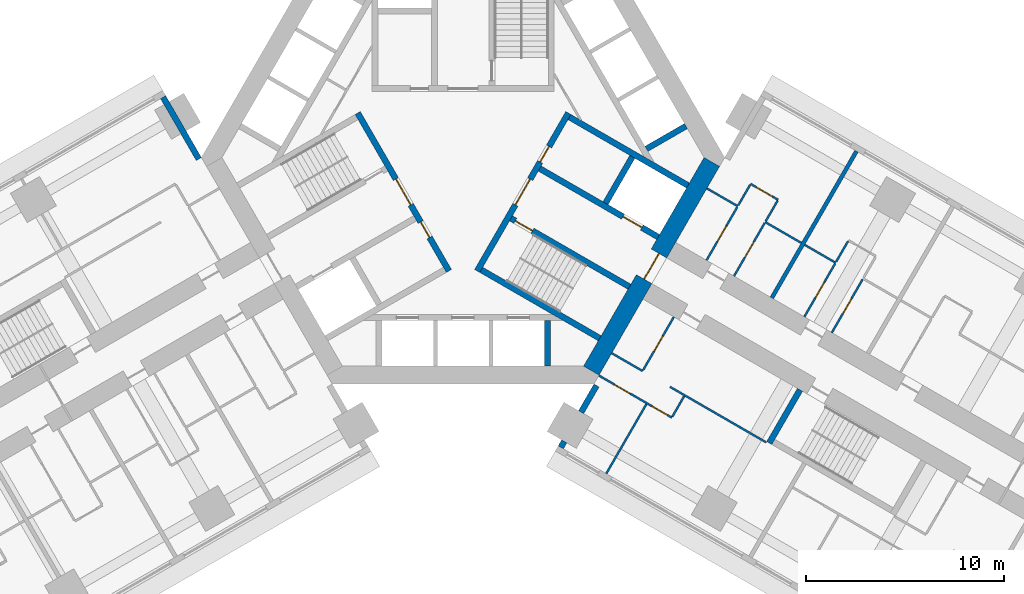
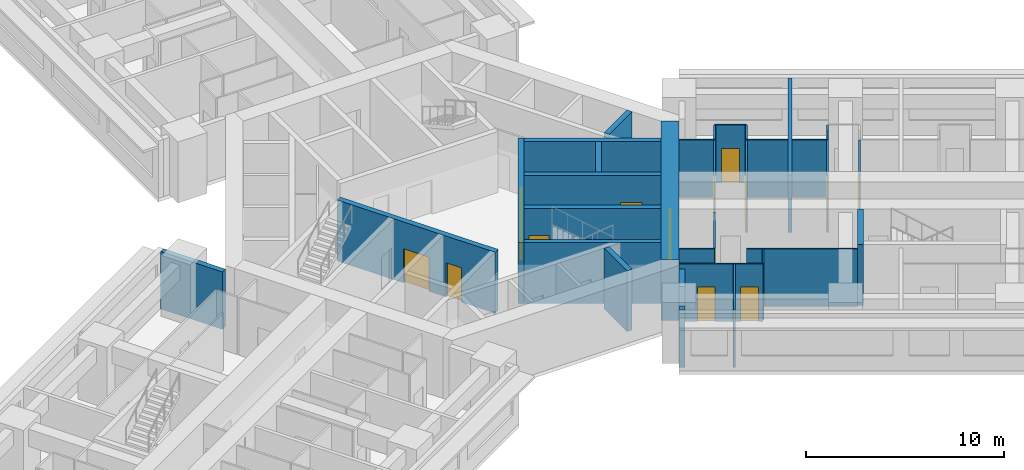
# One storey, part 7 of 17: 32 walls, 15 doors, 15 openings.
"""IFC4 building model written with IfcOpenShell, lengths in metres."""

from ifc_helpers import new_model, si_unit, direction, frame, frame_2d, origin, place, context, subcontext, project, spatial, rectangle, extrude, material, layer, layer_set, type_object, element, fill, save


model = new_model("IFC4")

# Units and contexts
model_context = context("Model", 3, precision=1e-05, world=origin(), true_north=direction((0.0, 1.0)))
body_context = subcontext(model_context, "Body", "Model", "MODEL_VIEW")
ifc_project = project(units=[si_unit("LENGTHUNIT", "METRE"), si_unit("AREAUNIT", "SQUARE_METRE"), si_unit("VOLUMEUNIT", "CUBIC_METRE"), si_unit("PLANEANGLEUNIT", "RADIAN"), si_unit("MASSUNIT", "GRAM", prefix="KILO")], contexts=[model_context])

# Site, building, storey
site_placement = place(None, origin())
site = spatial("IfcSite", under=ifc_project, at=site_placement, CompositionType="ELEMENT")
building_placement = place(site_placement, origin())
building = spatial("IfcBuilding", under=site, at=building_placement, Name="Impinga Residences", CompositionType="ELEMENT")
storey_placement = place(building_placement, frame((0.0, 0.0, 29.75)))
storey = spatial("IfcBuildingStorey", under=building, at=storey_placement, Name="L06", CompositionType="ELEMENT", Elevation=29.75)

# Walls
ifc_material_1 = material(Name="Terracotta rainscreen on blockwork", Category="masonry")
ifc_layer_1 = layer(ifc_material_1, 0.300048828125)
ifc_layer_set_1 = layer_set([ifc_layer_1], Name="EW1 external wall, terracotta rainscreen on blockwork 300")
wall_type_1 = type_object("IfcWallType", Name="EW1 external wall, terracotta rainscreen on blockwork 300", PredefinedType="SOLIDWALL", material=ifc_layer_set_1)
wall_1_placement = place(storey_placement, frame((-15.1298828125, 3.042724609375, 0.0), z_axis=(0.0, 0.0, 1.0), x_axis=(0.500012057535, -0.866018442252, 0.0)))
element("IfcWall", 1, at=wall_1_placement, inside=storey, type_object=wall_type_1, Name="External wall EW1 L06", PredefinedType="SOLIDWALL", context=body_context, shape_type="SweptSolid", body=[
    extrude(rectangle(XDim=3.60009765625, YDim=0.300048828125, at=frame_2d((1.800048828125, 0.0))), origin(), (0.0, 0.0, 1.0), 3.530029296875),
])
wall_2_placement = place(storey_placement, frame((4.929931640625, -14.624267578125, 0.0), z_axis=(0.0, 0.0, 1.0), x_axis=(0.49996389635, 0.866046247233, 0.0)))
element("IfcWall", 2, at=wall_2_placement, inside=storey, type_object=wall_type_1, Name="External wall EW1 L06", PredefinedType="SOLIDWALL", context=body_context, shape_type="SweptSolid", body=[
    extrude(rectangle(XDim=0.35009765625, YDim=0.300048828125, at=frame_2d((0.175048828125, 0.0))), origin(), (0.0, 0.0, 1.0), 3.530029296875),
])
wall_3_placement = place(storey_placement, frame((5.954833984375, -12.848876953125, 0.0), z_axis=(0.0, 0.0, 1.0), x_axis=(0.500086022567, 0.865975732936, 0.0)))
element("IfcWall", 3, at=wall_3_placement, inside=storey, type_object=wall_type_1, Name="External wall EW1 L06", PredefinedType="SOLIDWALL", context=body_context, shape_type="SweptSolid", body=[
    extrude(rectangle(XDim=1.550048828125, YDim=0.300048828125, at=frame_2d((0.77490234375, 0.0))), origin(), (0.0, 0.0, 1.0), 3.530029296875),
])
ifc_material_2 = material(Name="Gypsum board on steel studs", Category="steel")
ifc_layer_2 = layer(ifc_material_2, 0.10009765625)
ifc_layer_set_2 = layer_set([ifc_layer_2], Name="Gypsum board on steel studs")
wall_type_2 = type_object("IfcWallType", Name="IP1 partition 100", PredefinedType="PARTITIONING", material=ifc_layer_set_2)
wall_4_placement = place(storey_placement, frame((12.300048828125, -1.558837890625, 0.0), z_axis=(0.0, 0.0, 1.0), x_axis=(0.866047807691, -0.499961193289, 0.0)))
element("IfcWall", 4, at=wall_4_placement, inside=storey, type_object=wall_type_2, Name="Partition L06-EA1:DIV0", PredefinedType="PARTITIONING", context=body_context, shape_type="SweptSolid", body=[
    extrude(rectangle(XDim=1.800048828125, YDim=0.10009765625, at=frame_2d((0.89990234375, 0.0))), origin(), (0.0, 0.0, 1.0), 3.530029296875),
])
wall_5_placement = place(storey_placement, frame((15.244384765625, -3.2587890625, 0.0), z_axis=(0.0, 0.0, 1.0), x_axis=(0.866038466041, -0.499977374825, 0.0)))
element("IfcWall", 5, at=wall_5_placement, inside=storey, type_object=wall_type_2, Name="Partition L06-EA1:DIV1", PredefinedType="PARTITIONING", context=body_context, shape_type="SweptSolid", body=[
    extrude(rectangle(XDim=2.10009765625, YDim=0.10009765625, at=frame_2d((1.050048828125, 0.0))), origin(), (0.0, 0.0, 1.0), 3.530029296875),
])

# Wall, opening, door
wall_6_placement = place(storey_placement, frame((14.5087890625, -1.3330078125, 0.0), z_axis=(0.0, 0.0, 1.0), x_axis=(0.866028054938, -0.499995408039, 0.0)))
wall_6 = element("IfcWall", 6, at=wall_6_placement, inside=storey, type_object=wall_type_2, Name="Partition L06-EA1:STRIP", PredefinedType="PARTITIONING", context=body_context, shape_type="SweptSolid", body=[
    extrude(rectangle(XDim=1.60009765625, YDim=0.10009765625, at=frame_2d((0.800048828125, 0.0))), origin(), (0.0, 0.0, 1.0), 3.530029296875),
])
opening_1_placement = place(wall_6_placement, frame((0.35009765625, 0.0, 0.0)))
opening_1 = element("IfcOpeningElement", 7, at=opening_1_placement, cuts=wall_6, Name="Opening D2", PredefinedType="OPENING", context=body_context, shape_type="SweptSolid", body=[
    extrude(rectangle(XDim=0.89990234375, YDim=2.10009765625, at=frame_2d((0.449951171875, 1.050048828125))), frame((0.0, 0.06005859375, 0.0), z_axis=(0.0, -1.0, 0.0), x_axis=(1.0, 0.0, 0.0)), (0.0, 0.0, 1.0), 0.1201171875),
])
ifc_material_3 = material(Name="Timber door set", Category="wood")
door_type_1 = type_object("IfcDoorType", Name="D2 internal door 900x2100", OperationType="SINGLE_SWING_LEFT", PredefinedType="DOOR", material=ifc_material_3)
door_1_placement = place(opening_1_placement, origin())
door_1 = element("IfcDoor", 8, at=door_1_placement, inside=storey, type_object=door_type_1, Name="Apartment L06-EA1 room door", OperationType="SINGLE_SWING_LEFT", OverallHeight=2.10009765625, OverallWidth=0.89990234375, PredefinedType="DOOR", context=body_context, shape_type="SweptSolid", body=[
    extrude(rectangle(XDim=0.89990234375, YDim=2.10009765625, at=frame_2d((0.449951171875, 1.050048828125))), frame((0.0, 0.02490234375, 0.0), z_axis=(0.0, -1.0, 0.0), x_axis=(1.0, 0.0, 0.0)), (0.0, 0.0, 1.0), 0.050048828125),
])
fill(opening_1, door_1)

# Walls
wall_7_placement = place(storey_placement, frame((13.8837890625, -2.41552734375, 0.0), z_axis=(0.0, 0.0, 1.0), x_axis=(0.500033551112, 0.866006032174, 0.0)))
element("IfcWall", 9, at=wall_7_placement, inside=storey, type_object=wall_type_2, Name="Partition L06-EA1:SE0", PredefinedType="PARTITIONING", context=body_context, shape_type="SweptSolid", body=[
    extrude(rectangle(XDim=1.2001953125, YDim=0.10009765625, at=frame_2d((0.60009765625, 0.0))), origin(), (0.0, 0.0, 1.0), 3.530029296875),
])
wall_8_placement = place(storey_placement, frame((15.26953125, -3.215576171875, 0.0), z_axis=(0.0, 0.0, 1.0), x_axis=(0.499880961361, 0.866094119867, 0.0)))
element("IfcWall", 10, at=wall_8_placement, inside=storey, type_object=wall_type_2, Name="Partition L06-EA1:SE1", PredefinedType="PARTITIONING", context=body_context, shape_type="SweptSolid", body=[
    extrude(rectangle(XDim=1.199951171875, YDim=0.10009765625, at=frame_2d((0.60009765625, 0.0))), origin(), (0.0, 0.0, 1.0), 3.530029296875),
])

# Wall, opening, door
wall_9_placement = place(storey_placement, frame((12.283935546875, -5.186767578125, 0.0), z_axis=(0.0, 0.0, 1.0), x_axis=(0.499967891604, 0.866043940782, 0.0)))
wall_9 = element("IfcWall", 11, at=wall_9_placement, inside=storey, type_object=wall_type_2, Name="Partition L06-EA1:IB1", PredefinedType="PARTITIONING", context=body_context, shape_type="SweptSolid", body=[
    extrude(rectangle(XDim=3.099853515625, YDim=0.10009765625, at=frame_2d((1.5498046875, 0.0))), origin(), (0.0, 0.0, 1.0), 3.530029296875),
])
opening_2_placement = place(wall_9_placement, frame((1.10009765625, 0.0, 0.0)))
opening_2 = element("IfcOpeningElement", 12, at=opening_2_placement, cuts=wall_9, Name="Opening D2", PredefinedType="OPENING", context=body_context, shape_type="SweptSolid", body=[
    extrude(rectangle(XDim=0.89990234375, YDim=2.10009765625, at=frame_2d((0.449951171875, 1.050048828125))), frame((0.0, 0.06005859375, 0.0), z_axis=(0.0, -1.0, 0.0), x_axis=(1.0, 0.0, 0.0)), (0.0, 0.0, 1.0), 0.1201171875),
])
door_2_placement = place(opening_2_placement, origin())
door_2 = element("IfcDoor", 13, at=door_2_placement, inside=storey, type_object=door_type_1, Name="Apartment L06-EA1 bathroom door", OperationType="SINGLE_SWING_LEFT", OverallHeight=2.10009765625, OverallWidth=0.89990234375, PredefinedType="DOOR", context=body_context, shape_type="SweptSolid", body=[
    extrude(rectangle(XDim=0.89990234375, YDim=2.10009765625, at=frame_2d((0.449951171875, 1.050048828125))), frame((0.0, 0.02490234375, 0.0), z_axis=(0.0, -1.0, 0.0), x_axis=(1.0, 0.0, 0.0)), (0.0, 0.0, 1.0), 0.050048828125),
])
fill(opening_2, door_2)

wall_10_placement = place(storey_placement, frame((13.66943359375, -5.98681640625, 0.0), z_axis=(0.0, 0.0, 1.0), x_axis=(0.500026960575, 0.86600983753, 0.0)))
wall_10 = element("IfcWall", 14, at=wall_10_placement, inside=storey, type_object=wall_type_2, Name="Partition L06-EA1:IB2", PredefinedType="PARTITIONING", context=body_context, shape_type="SweptSolid", body=[
    extrude(rectangle(XDim=3.099853515625, YDim=0.10009765625, at=frame_2d((1.5498046875, 0.0))), origin(), (0.0, 0.0, 1.0), 3.530029296875),
])
opening_3_placement = place(wall_10_placement, frame((1.10009765625, 0.0, 0.0)))
opening_3 = element("IfcOpeningElement", 15, at=opening_3_placement, cuts=wall_10, Name="Opening D2", PredefinedType="OPENING", context=body_context, shape_type="SweptSolid", body=[
    extrude(rectangle(XDim=0.89990234375, YDim=2.10009765625, at=frame_2d((0.449951171875, 1.050048828125))), frame((0.0, 0.06005859375, 0.0), z_axis=(0.0, -1.0, 0.0), x_axis=(1.0, 0.0, 0.0)), (0.0, 0.0, 1.0), 0.1201171875),
])
door_3_placement = place(opening_3_placement, origin())
door_3 = element("IfcDoor", 16, at=door_3_placement, inside=storey, type_object=door_type_1, Name="Apartment L06-EA1 WC door", OperationType="SINGLE_SWING_LEFT", OverallHeight=2.10009765625, OverallWidth=0.89990234375, PredefinedType="DOOR", context=body_context, shape_type="SweptSolid", body=[
    extrude(rectangle(XDim=0.89990234375, YDim=2.10009765625, at=frame_2d((0.449951171875, 1.050048828125))), frame((0.0, 0.02490234375, 0.0), z_axis=(0.0, -1.0, 0.0), x_axis=(1.0, 0.0, 0.0)), (0.0, 0.0, 1.0), 0.050048828125),
])
fill(opening_3, door_3)

# Walls
wall_11_placement = place(storey_placement, frame((17.236328125, -4.408935546875, 0.0), z_axis=(0.0, 0.0, 1.0), x_axis=(0.866047807691, -0.499961193289, 0.0)))
element("IfcWall", 17, at=wall_11_placement, inside=storey, type_object=wall_type_2, Name="Partition L06-EA2:DIV0", PredefinedType="PARTITIONING", context=body_context, shape_type="SweptSolid", body=[
    extrude(rectangle(XDim=1.800048828125, YDim=0.10009765625, at=frame_2d((0.89990234375, 0.0))), origin(), (0.0, 0.0, 1.0), 3.530029296875),
])
wall_12_placement = place(storey_placement, frame((18.8203125, -5.265625, 0.0), z_axis=(0.0, 0.0, 1.0), x_axis=(0.499880961361, 0.866094119867, 0.0)))
element("IfcWall", 18, at=wall_12_placement, inside=storey, type_object=wall_type_2, Name="Partition L06-EA2:SE0", PredefinedType="PARTITIONING", context=body_context, shape_type="SweptSolid", body=[
    extrude(rectangle(XDim=1.199951171875, YDim=0.10009765625, at=frame_2d((0.60009765625, 0.0))), origin(), (0.0, 0.0, 1.0), 3.530029296875),
])

# Wall, opening, door
wall_13_placement = place(storey_placement, frame((17.22021484375, -8.036865234375, 0.0), z_axis=(0.0, 0.0, 1.0), x_axis=(0.49999285859, 0.86602952684, 0.0)))
wall_13 = element("IfcWall", 19, at=wall_13_placement, inside=storey, type_object=wall_type_2, Name="Partition L06-EA2:IB1", PredefinedType="PARTITIONING", context=body_context, shape_type="SweptSolid", body=[
    extrude(rectangle(XDim=3.10009765625, YDim=0.10009765625, at=frame_2d((1.550048828125, 0.0))), origin(), (0.0, 0.0, 1.0), 3.530029296875),
])
opening_4_placement = place(wall_13_placement, frame((1.10009765625, 0.0, 0.0)))
opening_4 = element("IfcOpeningElement", 20, at=opening_4_placement, cuts=wall_13, Name="Opening D2", PredefinedType="OPENING", context=body_context, shape_type="SweptSolid", body=[
    extrude(rectangle(XDim=0.89990234375, YDim=2.10009765625, at=frame_2d((0.449951171875, 1.050048828125))), frame((0.0, 0.06005859375, 0.0), z_axis=(0.0, -1.0, 0.0), x_axis=(1.0, 0.0, 0.0)), (0.0, 0.0, 1.0), 0.1201171875),
])
door_4_placement = place(opening_4_placement, origin())
door_4 = element("IfcDoor", 21, at=door_4_placement, inside=storey, type_object=door_type_1, Name="Apartment L06-EA2 bathroom door", OperationType="SINGLE_SWING_LEFT", OverallHeight=2.10009765625, OverallWidth=0.89990234375, PredefinedType="DOOR", context=body_context, shape_type="SweptSolid", body=[
    extrude(rectangle(XDim=0.89990234375, YDim=2.10009765625, at=frame_2d((0.449951171875, 1.050048828125))), frame((0.0, 0.02490234375, 0.0), z_axis=(0.0, -1.0, 0.0), x_axis=(1.0, 0.0, 0.0)), (0.0, 0.0, 1.0), 0.050048828125),
])
fill(opening_4, door_4)

wall_14_placement = place(storey_placement, frame((18.605712890625, -8.8369140625, 0.0), z_axis=(0.0, 0.0, 1.0), x_axis=(0.49999285859, 0.86602952684, 0.0)))
wall_14 = element("IfcWall", 22, at=wall_14_placement, inside=storey, type_object=wall_type_2, Name="Partition L06-EA2:IB2", PredefinedType="PARTITIONING", context=body_context, shape_type="SweptSolid", body=[
    extrude(rectangle(XDim=3.10009765625, YDim=0.10009765625, at=frame_2d((1.550048828125, 0.0))), origin(), (0.0, 0.0, 1.0), 3.530029296875),
])
opening_5_placement = place(wall_14_placement, frame((1.10009765625, 0.0, 0.0)))
opening_5 = element("IfcOpeningElement", 23, at=opening_5_placement, cuts=wall_14, Name="Opening D2", PredefinedType="OPENING", context=body_context, shape_type="SweptSolid", body=[
    extrude(rectangle(XDim=0.89990234375, YDim=2.10009765625, at=frame_2d((0.449951171875, 1.050048828125))), frame((0.0, 0.06005859375, 0.0), z_axis=(0.0, -1.0, 0.0), x_axis=(1.0, 0.0, 0.0)), (0.0, 0.0, 1.0), 0.1201171875),
])
door_5_placement = place(opening_5_placement, origin())
door_5 = element("IfcDoor", 24, at=door_5_placement, inside=storey, type_object=door_type_1, Name="Apartment L06-EA2 WC door", OperationType="SINGLE_SWING_LEFT", OverallHeight=2.10009765625, OverallWidth=0.89990234375, PredefinedType="DOOR", context=body_context, shape_type="SweptSolid", body=[
    extrude(rectangle(XDim=0.89990234375, YDim=2.10009765625, at=frame_2d((0.449951171875, 1.050048828125))), frame((0.0, 0.02490234375, 0.0), z_axis=(0.0, -1.0, 0.0), x_axis=(1.0, 0.0, 0.0)), (0.0, 0.0, 1.0), 0.050048828125),
])
fill(opening_5, door_5)

# Walls
wall_15_placement = place(storey_placement, frame((7.5, -9.872802734375, 0.0), z_axis=(0.0, 0.0, 1.0), x_axis=(0.866047807691, -0.499961193289, 0.0)))
element("IfcWall", 25, at=wall_15_placement, inside=storey, type_object=wall_type_2, Name="Partition L06-EF1:DIV0", PredefinedType="PARTITIONING", context=body_context, shape_type="SweptSolid", body=[
    extrude(rectangle(XDim=1.800048828125, YDim=0.10009765625, at=frame_2d((0.89990234375, 0.0))), origin(), (0.0, 0.0, 1.0), 3.530029296875),
])
wall_16_placement = place(storey_placement, frame((10.444580078125, -11.57275390625, 0.0), z_axis=(0.0, 0.0, 1.0), x_axis=(0.866015695474, -0.500016814911, 0.0)))
element("IfcWall", 26, at=wall_16_placement, inside=storey, type_object=wall_type_2, Name="Partition L06-EF1:DIV1", PredefinedType="PARTITIONING", context=body_context, shape_type="SweptSolid", body=[
    extrude(rectangle(XDim=5.599853515625, YDim=0.10009765625, at=frame_2d((2.7998046875, 0.0))), origin(), (0.0, 0.0, 1.0), 3.530029296875),
])

# Wall, openings, doors
wall_17_placement = place(storey_placement, frame((6.85009765625, -10.99853515625, 0.0), z_axis=(0.0, 0.0, 1.0), x_axis=(0.866014341725, -0.50001915956, 0.0)))
wall_17 = element("IfcWall", 27, at=wall_17_placement, inside=storey, type_object=wall_type_2, Name="Partition L06-EF1:STRIP", PredefinedType="PARTITIONING", context=body_context, shape_type="SweptSolid", body=[
    extrude(rectangle(XDim=4.249755859375, YDim=0.10009765625, at=frame_2d((2.125, 0.0))), origin(), (0.0, 0.0, 1.0), 3.530029296875),
])
opening_6_placement = place(wall_17_placement, frame((0.925048828125, 0.0, 0.0)))
opening_6 = element("IfcOpeningElement", 28, at=opening_6_placement, cuts=wall_17, Name="Opening D2", PredefinedType="OPENING", context=body_context, shape_type="SweptSolid", body=[
    extrude(rectangle(XDim=0.89990234375, YDim=2.10009765625, at=frame_2d((0.449951171875, 1.050048828125))), frame((0.0, 0.06005859375, 0.0), z_axis=(0.0, -1.0, 0.0), x_axis=(1.0, 0.0, 0.0)), (0.0, 0.0, 1.0), 0.1201171875),
])
opening_7_placement = place(wall_17_placement, frame((3.10009765625, 0.0, 0.0)))
opening_7 = element("IfcOpeningElement", 29, at=opening_7_placement, cuts=wall_17, Name="Opening D2", PredefinedType="OPENING", context=body_context, shape_type="SweptSolid", body=[
    extrude(rectangle(XDim=0.89990234375, YDim=2.10009765625, at=frame_2d((0.449951171875, 1.050048828125))), frame((0.0, 0.06005859375, 0.0), z_axis=(0.0, -1.0, 0.0), x_axis=(1.0, 0.0, 0.0)), (0.0, 0.0, 1.0), 0.1201171875),
])
door_6_placement = place(opening_6_placement, origin())
door_6 = element("IfcDoor", 30, at=door_6_placement, inside=storey, type_object=door_type_1, Name="Apartment L06-EF1 room door", OperationType="SINGLE_SWING_LEFT", OverallHeight=2.10009765625, OverallWidth=0.89990234375, PredefinedType="DOOR", context=body_context, shape_type="SweptSolid", body=[
    extrude(rectangle(XDim=0.89990234375, YDim=2.10009765625, at=frame_2d((0.449951171875, 1.050048828125))), frame((0.0, 0.02490234375, 0.0), z_axis=(0.0, -1.0, 0.0), x_axis=(1.0, 0.0, 0.0)), (0.0, 0.0, 1.0), 0.050048828125),
])
fill(opening_6, door_6)
door_7_placement = place(opening_7_placement, origin())
door_7 = element("IfcDoor", 31, at=door_7_placement, inside=storey, type_object=door_type_1, Name="Apartment L06-EF1 room door", OperationType="SINGLE_SWING_RIGHT", OverallHeight=2.10009765625, OverallWidth=0.89990234375, PredefinedType="DOOR", context=body_context, shape_type="SweptSolid", body=[
    extrude(rectangle(XDim=0.89990234375, YDim=2.10009765625, at=frame_2d((0.449951171875, 1.050048828125))), frame((0.0, 0.02490234375, 0.0), z_axis=(0.0, -1.0, 0.0), x_axis=(1.0, 0.0, 0.0)), (0.0, 0.0, 1.0), 0.050048828125),
])
fill(opening_7, door_7)

# Wall
wall_18_placement = place(storey_placement, frame((11.155517578125, -12.041015625, 0.0), z_axis=(0.0, 0.0, 1.0), x_axis=(-0.499880961361, -0.866094119867, 0.0)))
element("IfcWall", 32, at=wall_18_placement, inside=storey, type_object=wall_type_2, Name="Partition L06-EF1:SE1", PredefinedType="PARTITIONING", context=body_context, shape_type="SweptSolid", body=[
    extrude(rectangle(XDim=1.199951171875, YDim=0.10009765625, at=frame_2d((0.60009765625, 0.0))), origin(), (0.0, 0.0, 1.0), 3.530029296875),
])

# Wall, opening, door
wall_19_placement = place(storey_placement, frame((10.6337890625, -8.044677734375, 0.0), z_axis=(0.0, 0.0, 1.0), x_axis=(-0.49999285859, -0.86602952684, 0.0)))
wall_19 = element("IfcWall", 33, at=wall_19_placement, inside=storey, type_object=wall_type_2, Name="Partition L06-EF1:IB1", PredefinedType="PARTITIONING", context=body_context, shape_type="SweptSolid", body=[
    extrude(rectangle(XDim=3.10009765625, YDim=0.10009765625, at=frame_2d((1.550048828125, 0.0))), origin(), (0.0, 0.0, 1.0), 3.530029296875),
])
opening_8_placement = place(wall_19_placement, frame((1.10009765625, 0.0, 0.0)))
opening_8 = element("IfcOpeningElement", 34, at=opening_8_placement, cuts=wall_19, Name="Opening D2", PredefinedType="OPENING", context=body_context, shape_type="SweptSolid", body=[
    extrude(rectangle(XDim=0.89990234375, YDim=2.10009765625, at=frame_2d((0.449951171875, 1.050048828125))), frame((0.0, 0.06005859375, 0.0), z_axis=(0.0, -1.0, 0.0), x_axis=(1.0, 0.0, 0.0)), (0.0, 0.0, 1.0), 0.1201171875),
])
door_8_placement = place(opening_8_placement, origin())
door_8 = element("IfcDoor", 35, at=door_8_placement, inside=storey, type_object=door_type_1, Name="Apartment L06-EF1 bathroom door", OperationType="SINGLE_SWING_LEFT", OverallHeight=2.10009765625, OverallWidth=0.89990234375, PredefinedType="DOOR", context=body_context, shape_type="SweptSolid", body=[
    extrude(rectangle(XDim=0.89990234375, YDim=2.10009765625, at=frame_2d((0.449951171875, 1.050048828125))), frame((0.0, 0.02490234375, 0.0), z_axis=(0.0, -1.0, 0.0), x_axis=(1.0, 0.0, 0.0)), (0.0, 0.0, 1.0), 0.050048828125),
])
fill(opening_8, door_8)

# Walls
wall_20_placement = place(storey_placement, frame((9.249755859375, -12.44189453125, 0.0), z_axis=(0.0, 0.0, 1.0), x_axis=(-0.499990325971, -0.866030989016, 0.0)))
element("IfcWall", 36, at=wall_20_placement, inside=storey, type_object=wall_type_2, Name="Partition L06-EF1:OB1", PredefinedType="PARTITIONING", context=body_context, shape_type="SweptSolid", body=[
    extrude(rectangle(XDim=4.0498046875, YDim=0.10009765625, at=frame_2d((2.02490234375, 0.0))), origin(), (0.0, 0.0, 1.0), 3.530029296875),
])
ifc_material_4 = material(Name="Concrete blockwork", Category="masonry")
ifc_layer_3 = layer(ifc_material_4, 0.199951171875)
ifc_layer_set_3 = layer_set([ifc_layer_3], Name="PW1 party wall between apartments 200")
wall_type_3 = type_object("IfcWallType", Name="PW1 party wall between apartments 200", PredefinedType="SOLIDWALL", material=ifc_layer_set_3)
wall_21_placement = place(storey_placement, frame((15.57470703125, -7.0869140625, 0.0), z_axis=(0.0, 0.0, 1.0), x_axis=(0.500011643316, 0.866018681408, 0.0)))
element("IfcWall", 37, at=wall_21_placement, inside=storey, type_object=wall_type_3, Name="Party wall between apartments L06-EA1:PARTY", PredefinedType="SOLIDWALL", context=body_context, shape_type="SweptSolid", body=[
    extrude(rectangle(XDim=8.550048828125, YDim=0.199951171875, at=frame_2d((4.27490234375, 0.0))), origin(), (0.0, 0.0, 1.0), 3.530029296875),
])
ifc_material_5 = material(Name="Concrete C60/75", Category="concrete")
ifc_layer_4 = layer(ifc_material_5, 0.300048828125)
ifc_layer_set_4 = layer_set([ifc_layer_4], Name="Concrete C60/75")
wall_type_4 = type_object("IfcWallType", Name="SE1 wing stair enclosure wall 300", PredefinedType="SOLIDWALL", material=ifc_layer_set_4)
wall_22_placement = place(storey_placement, frame((16.9990234375, -11.7197265625, 0.0), z_axis=(0.0, 0.0, 1.0), x_axis=(-0.499967891604, -0.866043940782, 0.0)))
element("IfcWall", 38, at=wall_22_placement, inside=storey, type_object=wall_type_4, Name="Stair enclosure wall SE1 E END0 L06", PredefinedType="SOLIDWALL", context=body_context, shape_type="SweptSolid", body=[
    extrude(rectangle(XDim=3.099853515625, YDim=0.300048828125, at=frame_2d((1.5498046875, 0.0))), origin(), (0.0, 0.0, 1.0), 3.75),
])

# Wall, opening, door
ifc_material_6 = material(Name="Concrete C70/85", Category="concrete")
ifc_layer_5 = layer(ifc_material_6, 0.89990234375)
ifc_layer_set_5 = layer_set([ifc_layer_5], Name="Concrete C70/85")
wall_type_5 = type_object("IfcWallType", Name="SW1 core wall 900", PredefinedType="SHEAR", material=ifc_layer_set_5)
wall_23_placement = place(storey_placement, frame((12.550537109375, -0.22509765625, 0.0), z_axis=(0.0, 0.0, 1.0), x_axis=(-0.499997612506, -0.8660267822, 0.0)))
wall_23 = element("IfcWall", 39, at=wall_23_placement, inside=storey, type_object=wall_type_5, Name="Core wall SW1 E:FACE L06", PredefinedType="SHEAR", context=body_context, shape_type="SweptSolid", body=[
    extrude(rectangle(XDim=12.16064453125, YDim=0.89990234375, at=frame_2d((6.080322265625, 0.0))), origin(), (0.0, 0.0, 1.0), 3.75),
])
opening_9_placement = place(wall_23_placement, frame((5.330322265625, 0.0, 0.0)))
opening_9 = element("IfcOpeningElement", 40, at=opening_9_placement, cuts=wall_23, Name="Opening D4", PredefinedType="OPENING", context=body_context, shape_type="SweptSolid", body=[
    extrude(rectangle(XDim=1.5, YDim=2.10009765625, at=frame_2d((0.75, 1.050048828125))), frame((0.0, 0.4599609375, 0.0), z_axis=(0.0, -1.0, 0.0), x_axis=(1.0, 0.0, 0.0)), (0.0, 0.0, 1.0), 0.919921875),
])
door_type_2 = type_object("IfcDoorType", Name="D4 lobby door pair 1500x2100", OperationType="DOUBLE_DOOR_DOUBLE_SWING", PredefinedType="DOOR", material=ifc_material_3)
door_9_placement = place(opening_9_placement, origin())
door_9 = element("IfcDoor", 41, at=door_9_placement, inside=storey, type_object=door_type_2, Name="Lobby door E", OperationType="DOUBLE_DOOR_DOUBLE_SWING", OverallHeight=2.10009765625, OverallWidth=1.5, PredefinedType="DOOR", context=body_context, shape_type="SweptSolid", body=[
    extrude(rectangle(XDim=1.5, YDim=2.10009765625, at=frame_2d((0.75, 1.050048828125))), frame((0.0, 0.02490234375, 0.0), z_axis=(0.0, -1.0, 0.0), x_axis=(1.0, 0.0, 0.0)), (0.0, 0.0, 1.0), 0.050048828125),
])
fill(opening_9, door_9)

# Wall, openings, doors
ifc_layer_6 = layer(ifc_material_6, 0.300048828125)
ifc_layer_set_6 = layer_set([ifc_layer_6], Name="Concrete C70/85")
wall_type_6 = type_object("IfcWallType", Name="SW5 core inner wall, stairs, shafts and lobbies 300", PredefinedType="SHEAR", material=ifc_layer_set_6)
wall_24_placement = place(storey_placement, frame((-0.7138671875, -5.7236328125, 0.0), z_axis=(0.0, 0.0, 1.0), x_axis=(-0.499995050369, 0.866028261437, 0.0)))
wall_24 = element("IfcWall", 42, at=wall_24_placement, inside=storey, type_object=wall_type_6, Name="Core wall SW5 W:ZONE L06", PredefinedType="SHEAR", context=body_context, shape_type="SweptSolid", body=[
    extrude(rectangle(XDim=9.19970703125, YDim=0.300048828125, at=frame_2d((4.599853515625, 0.0))), origin(), (0.0, 0.0, 1.0), 3.75),
])
opening_10_placement = place(wall_24_placement, frame((3.85009765625, 0.0, 0.0)))
opening_10 = element("IfcOpeningElement", 43, at=opening_10_placement, cuts=wall_24, Name="Opening D4", PredefinedType="OPENING", context=body_context, shape_type="SweptSolid", body=[
    extrude(rectangle(XDim=1.5, YDim=2.10009765625, at=frame_2d((0.75, 1.050048828125))), frame((0.0, 0.159912109375, 0.0), z_axis=(0.0, -1.0, 0.0), x_axis=(1.0, 0.0, 0.0)), (0.0, 0.0, 1.0), 0.320068359375),
])
opening_11_placement = place(wall_24_placement, frame((1.949951171875, 0.0, 0.0)))
opening_11 = element("IfcOpeningElement", 44, at=opening_11_placement, cuts=wall_24, Name="Opening D6", PredefinedType="OPENING", context=body_context, shape_type="SweptSolid", body=[
    extrude(rectangle(XDim=0.89990234375, YDim=2.10009765625, at=frame_2d((0.449951171875, 1.050048828125))), frame((0.0, 0.159912109375, 0.0), z_axis=(0.0, -1.0, 0.0), x_axis=(1.0, 0.0, 0.0)), (0.0, 0.0, 1.0), 0.320068359375),
])
door_10_placement = place(opening_10_placement, origin())
door_10 = element("IfcDoor", 45, at=door_10_placement, inside=storey, type_object=door_type_2, Name="Firefighting lobby door W", OperationType="DOUBLE_DOOR_DOUBLE_SWING", OverallHeight=2.10009765625, OverallWidth=1.5, PredefinedType="DOOR", context=body_context, shape_type="SweptSolid", body=[
    extrude(rectangle(XDim=1.5, YDim=2.10009765625, at=frame_2d((0.75, 1.050048828125))), frame((0.0, 0.02490234375, 0.0), z_axis=(0.0, -1.0, 0.0), x_axis=(1.0, 0.0, 0.0)), (0.0, 0.0, 1.0), 0.050048828125),
])
fill(opening_10, door_10)
door_type_3 = type_object("IfcDoorType", Name="D6 riser and store door 900x2100", OperationType="SINGLE_SWING_LEFT", PredefinedType="DOOR", material=ifc_material_3)
door_11_placement = place(opening_11_placement, origin())
door_11 = element("IfcDoor", 46, at=door_11_placement, inside=storey, type_object=door_type_3, Name="Riser door W", OperationType="SINGLE_SWING_LEFT", OverallHeight=2.10009765625, OverallWidth=0.89990234375, PredefinedType="DOOR", context=body_context, shape_type="SweptSolid", body=[
    extrude(rectangle(XDim=0.89990234375, YDim=2.10009765625, at=frame_2d((0.449951171875, 1.050048828125))), frame((0.0, 0.02490234375, 0.0), z_axis=(0.0, -1.0, 0.0), x_axis=(1.0, 0.0, 0.0)), (0.0, 0.0, 1.0), 0.050048828125),
])
fill(opening_11, door_11)

wall_25_placement = place(storey_placement, frame((5.313720703125, 2.24365234375, 0.0), z_axis=(0.0, 0.0, 1.0), x_axis=(-0.499995050369, -0.866028261437, 0.0)))
wall_25 = element("IfcWall", 47, at=wall_25_placement, inside=storey, type_object=wall_type_6, Name="Core wall SW5 E:ZONE L06", PredefinedType="SHEAR", context=body_context, shape_type="SweptSolid", body=[
    extrude(rectangle(XDim=9.19970703125, YDim=0.300048828125, at=frame_2d((4.599853515625, 0.0))), origin(), (0.0, 0.0, 1.0), 3.75),
])
opening_12_placement = place(wall_25_placement, frame((3.85009765625, 0.0, 0.0)))
opening_12 = element("IfcOpeningElement", 48, at=opening_12_placement, cuts=wall_25, Name="Opening D4", PredefinedType="OPENING", context=body_context, shape_type="SweptSolid", body=[
    extrude(rectangle(XDim=1.5, YDim=2.10009765625, at=frame_2d((0.75, 1.050048828125))), frame((0.0, 0.159912109375, 0.0), z_axis=(0.0, -1.0, 0.0), x_axis=(1.0, 0.0, 0.0)), (0.0, 0.0, 1.0), 0.320068359375),
])
opening_13_placement = place(wall_25_placement, frame((1.949951171875, 0.0, 0.0)))
opening_13 = element("IfcOpeningElement", 49, at=opening_13_placement, cuts=wall_25, Name="Opening D6", PredefinedType="OPENING", context=body_context, shape_type="SweptSolid", body=[
    extrude(rectangle(XDim=0.89990234375, YDim=2.10009765625, at=frame_2d((0.449951171875, 1.050048828125))), frame((0.0, 0.159912109375, 0.0), z_axis=(0.0, -1.0, 0.0), x_axis=(1.0, 0.0, 0.0)), (0.0, 0.0, 1.0), 0.320068359375),
])
door_12_placement = place(opening_12_placement, origin())
door_12 = element("IfcDoor", 50, at=door_12_placement, inside=storey, type_object=door_type_2, Name="Firefighting lobby door E", OperationType="DOUBLE_DOOR_DOUBLE_SWING", OverallHeight=2.10009765625, OverallWidth=1.5, PredefinedType="DOOR", context=body_context, shape_type="SweptSolid", body=[
    extrude(rectangle(XDim=1.5, YDim=2.10009765625, at=frame_2d((0.75, 1.050048828125))), frame((0.0, 0.02490234375, 0.0), z_axis=(0.0, -1.0, 0.0), x_axis=(1.0, 0.0, 0.0)), (0.0, 0.0, 1.0), 0.050048828125),
])
fill(opening_12, door_12)
door_13_placement = place(opening_13_placement, origin())
door_13 = element("IfcDoor", 51, at=door_13_placement, inside=storey, type_object=door_type_3, Name="Riser door E", OperationType="SINGLE_SWING_LEFT", OverallHeight=2.10009765625, OverallWidth=0.89990234375, PredefinedType="DOOR", context=body_context, shape_type="SweptSolid", body=[
    extrude(rectangle(XDim=0.89990234375, YDim=2.10009765625, at=frame_2d((0.449951171875, 1.050048828125))), frame((0.0, 0.02490234375, 0.0), z_axis=(0.0, -1.0, 0.0), x_axis=(1.0, 0.0, 0.0)), (0.0, 0.0, 1.0), 0.050048828125),
])
fill(opening_13, door_13)

# Wall, opening, door
wall_26_placement = place(storey_placement, frame((2.418701171875, -3.07080078125, 0.0), z_axis=(0.0, 0.0, 1.0), x_axis=(0.86602711848, -0.499997030048, 0.0)))
wall_26 = element("IfcWall", 52, at=wall_26_placement, inside=storey, type_object=wall_type_6, Name="Core wall SW5 E:ST-IN L06", PredefinedType="SHEAR", context=body_context, shape_type="SweptSolid", body=[
    extrude(rectangle(XDim=6.9013671875, YDim=0.300048828125, at=frame_2d((3.45068359375, 0.0))), origin(), (0.0, 0.0, 1.0), 3.75),
])
opening_14_placement = place(wall_26_placement, frame((0.25, 0.0, 0.0)))
opening_14 = element("IfcOpeningElement", 53, at=opening_14_placement, cuts=wall_26, Name="Opening D5", PredefinedType="OPENING", context=body_context, shape_type="SweptSolid", body=[
    extrude(rectangle(XDim=1.0, YDim=2.10009765625, at=frame_2d((0.5, 1.050048828125))), frame((0.0, 0.159912109375, 0.0), z_axis=(0.0, -1.0, 0.0), x_axis=(1.0, 0.0, 0.0)), (0.0, 0.0, 1.0), 0.320068359375),
])
door_type_4 = type_object("IfcDoorType", Name="D5 stair door 1000x2100", OperationType="SINGLE_SWING_LEFT", PredefinedType="DOOR", material=ifc_material_3)
door_14_placement = place(opening_14_placement, origin())
door_14 = element("IfcDoor", 54, at=door_14_placement, inside=storey, type_object=door_type_4, Name="Stair door E", OperationType="SINGLE_SWING_LEFT", OverallHeight=2.10009765625, OverallWidth=1.0, PredefinedType="DOOR", context=body_context, shape_type="SweptSolid", body=[
    extrude(rectangle(XDim=1.0, YDim=2.10009765625, at=frame_2d((0.5, 1.050048828125))), frame((0.0, 0.02490234375, 0.0), z_axis=(0.0, -1.0, 0.0), x_axis=(1.0, 0.0, 0.0)), (0.0, 0.0, 1.0), 0.050048828125),
])
fill(opening_14, door_14)

# Wall
wall_27_placement = place(storey_placement, frame((0.918701171875, -5.668701171875, 0.0), z_axis=(0.0, 0.0, 1.0), x_axis=(0.866011800373, -0.500023561059, 0.0)))
element("IfcWall", 55, at=wall_27_placement, inside=storey, type_object=wall_type_6, Name="Core wall SW5 E:ST-OUT L06", PredefinedType="SHEAR", context=body_context, shape_type="SweptSolid", body=[
    extrude(rectangle(XDim=6.901611328125, YDim=0.300048828125, at=frame_2d((3.45068359375, 0.0))), origin(), (0.0, 0.0, 1.0), 3.75),
])

# Wall, opening, door
wall_28_placement = place(storey_placement, frame((3.86865234375, -0.559326171875, 0.0), z_axis=(0.0, 0.0, 1.0), x_axis=(0.86602711848, -0.499997030048, 0.0)))
wall_28 = element("IfcWall", 56, at=wall_28_placement, inside=storey, type_object=wall_type_6, Name="Core wall SW5 E:FF-IN L06", PredefinedType="SHEAR", context=body_context, shape_type="SweptSolid", body=[
    extrude(rectangle(XDim=6.9013671875, YDim=0.300048828125, at=frame_2d((3.45068359375, 0.0))), origin(), (0.0, 0.0, 1.0), 3.75),
])
opening_15_placement = place(wall_28_placement, frame((4.85009765625, 0.0, 0.0)))
opening_15 = element("IfcOpeningElement", 57, at=opening_15_placement, cuts=wall_28, Name="Opening LD2", PredefinedType="OPENING", context=body_context, shape_type="SweptSolid", body=[
    extrude(rectangle(XDim=1.10009765625, YDim=2.10009765625, at=frame_2d((0.550048828125, 1.050048828125))), frame((0.0, 0.159912109375, 0.0), z_axis=(0.0, -1.0, 0.0), x_axis=(1.0, 0.0, 0.0)), (0.0, 0.0, 1.0), 0.320068359375),
])
ifc_material_7 = material(Name="Steel lift landing door", Category="steel")
door_type_5 = type_object("IfcDoorType", Name="LD2 firefighting lift landing door 1100x2100", OperationType="DOUBLE_DOOR_SLIDING", PredefinedType="DOOR", material=ifc_material_7)
door_15_placement = place(opening_15_placement, origin())
door_15 = element("IfcDoor", 58, at=door_15_placement, inside=storey, type_object=door_type_5, Name="Firefighting lift landing door F3", OperationType="DOUBLE_DOOR_SLIDING", OverallHeight=2.10009765625, OverallWidth=1.10009765625, PredefinedType="DOOR", context=body_context, shape_type="SweptSolid", body=[
    extrude(rectangle(XDim=1.10009765625, YDim=2.10009765625, at=frame_2d((0.550048828125, 1.050048828125))), frame((0.0, 0.02490234375, 0.0), z_axis=(0.0, -1.0, 0.0), x_axis=(1.0, 0.0, 0.0)), (0.0, 0.0, 1.0), 0.050048828125),
])
fill(opening_15, door_15)

# Walls
wall_29_placement = place(storey_placement, frame((5.36865234375, 2.038818359375, 0.0), z_axis=(0.0, 0.0, 1.0), x_axis=(0.86602711848, -0.499997030048, 0.0)))
element("IfcWall", 59, at=wall_29_placement, inside=storey, type_object=wall_type_6, Name="Core wall SW5 E:FF-OUT L06", PredefinedType="SHEAR", context=body_context, shape_type="SweptSolid", body=[
    extrude(rectangle(XDim=6.9013671875, YDim=0.300048828125, at=frame_2d((3.45068359375, 0.0))), origin(), (0.0, 0.0, 1.0), 3.75),
])
wall_30_placement = place(storey_placement, frame((8.541259765625, 0.033935546875, 0.0), z_axis=(0.0, 0.0, 1.0), x_axis=(-0.50000943426, -0.866019956843, 0.0)))
element("IfcWall", 60, at=wall_30_placement, inside=storey, type_object=wall_type_6, Name="Core wall SW5 E:FF-RS L06", PredefinedType="SHEAR", context=body_context, shape_type="SweptSolid", body=[
    extrude(rectangle(XDim=2.7001953125, YDim=0.300048828125, at=frame_2d((1.35009765625, 0.0))), origin(), (0.0, 0.0, 1.0), 3.75),
])
for number, where, z_axis, x_axis, name in (
    (61, (4.25, -8.2314453125, 0.0), (0.0, 0.0, 1.0), (0.0, -1.0, 0.0), "Core wall SW5 N:BANK-L L06"),
    (62, (9.253662109375, 0.43505859375, 0.0), (0.0, 0.0, 1.0), (0.866007057882, 0.500031774688, 0.0), "Core wall SW5 W:BANK-R L06"),
):
    element("IfcWall", number, at=place(storey_placement, frame(where, z_axis=z_axis, x_axis=x_axis)), inside=storey, type_object=wall_type_6, Name=name, PredefinedType="SHEAR", context=body_context, shape_type="SweptSolid", body=[
        extrude(rectangle(XDim=2.300048828125, YDim=0.300048828125, at=frame_2d((1.14990234375, 0.0))), origin(), (0.0, 0.0, 1.0), 3.75),
    ])

save(model, "model.ifc")
